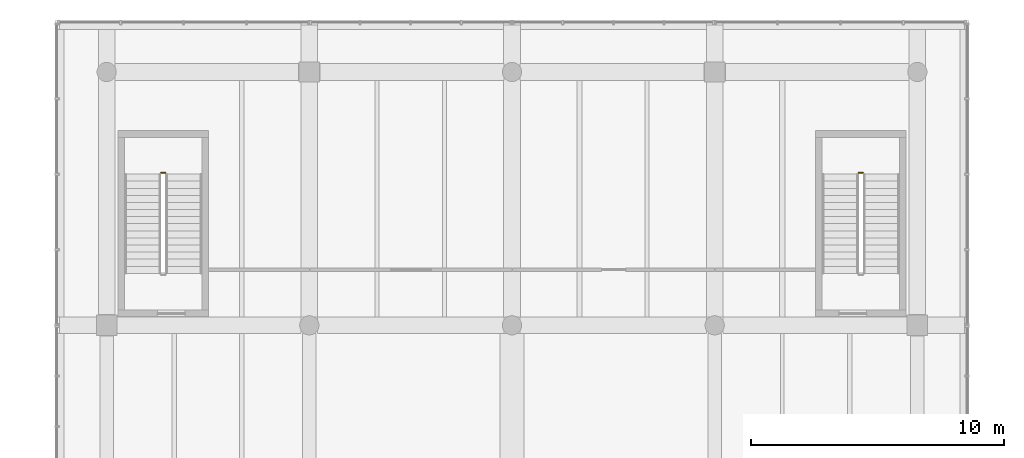
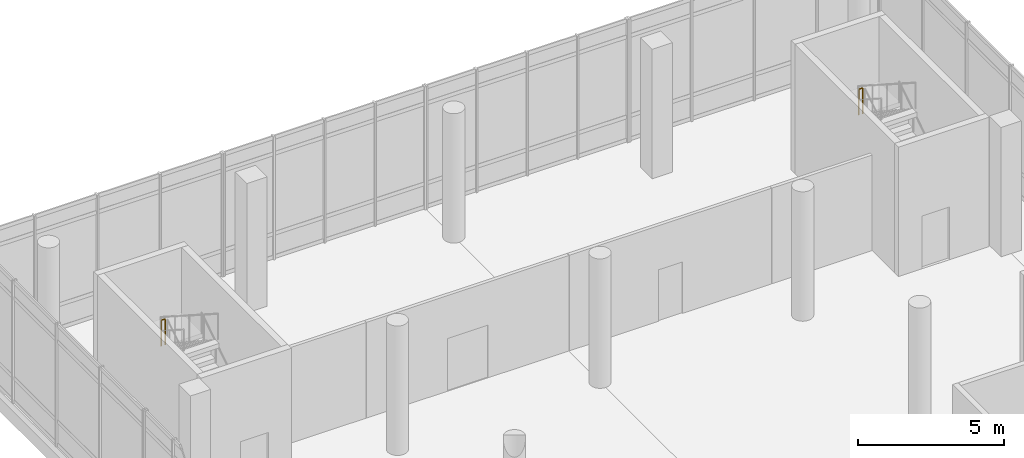
# One storey, part 20 of 20: 2 railings.
"""IFC4 building model written with IfcOpenShell, lengths in metres."""

from ifc_helpers import new_model, si_unit, direction, frame, origin, origin_2d, place, context, subcontext, project, spatial, circle, extrude, material, type_object, element, save


model = new_model("IFC4")

# Units and contexts
model_context = context("Model", 3, precision=1e-05, world=origin(), true_north=direction((0.0, 1.0)))
body_context = subcontext(model_context, "Body", "Model", "MODEL_VIEW")
ifc_project = project(units=[si_unit("LENGTHUNIT", "METRE"), si_unit("AREAUNIT", "SQUARE_METRE"), si_unit("VOLUMEUNIT", "CUBIC_METRE"), si_unit("PLANEANGLEUNIT", "RADIAN"), si_unit("MASSUNIT", "GRAM", prefix="KILO")], contexts=[model_context])

# Site, building, storey
site_placement = place(None, origin())
site = spatial("IfcSite", under=ifc_project, at=site_placement, CompositionType="ELEMENT")
building_placement = place(site_placement, origin())
building = spatial("IfcBuilding", under=site, at=building_placement, Name="Pecanmere Concourse Central Library", CompositionType="ELEMENT")
storey_placement = place(building_placement, frame((0.0, 0.0, 24.89990234375)))
storey = spatial("IfcBuildingStorey", under=building, at=storey_placement, Name="L06", CompositionType="ELEMENT", Elevation=24.89990234375)

# Railings
ifc_material = material(Name="Painted architectural steel ASTM A36", Category="steel")
railing_type = type_object("IfcRailingType", Name="RAIL_STAIR_GUARD", PredefinedType="GUARDRAIL", material=ifc_material)
for number, where, name in (
    (1, (74.31005859375, 120.02001953125, 2.7001953125), "L06 ST-03 Guard 2"),
    (2, (101.85009765625, 120.02001953125, 2.7001953125), "L06 ST-04 Guard 2"),
):
    element("IfcRailing", number, at=place(storey_placement, frame(where)), inside=storey, type_object=railing_type, Name=name, PredefinedType="GUARDRAIL", context=body_context, shape_type="SweptSolid", body=[
        extrude(circle(Radius=0.02392578125, at=origin_2d()), frame((0.0, 0.0, 1.076171875), z_axis=(-1.0, 0.0, 0.0), x_axis=(0.0, -1.0, 0.0)), (0.0, 0.0, 1.0), 0.16015625),
        extrude(circle(Radius=0.02099609375, at=origin_2d()), origin(), (0.0, 0.0, 1.0), 1.052001953125),
        extrude(circle(Radius=0.02099609375, at=origin_2d()), frame((-0.16015625, 0.0, 0.0)), (0.0, 0.0, 1.0), 1.052001953125),
    ])

save(model, "model.ifc")
